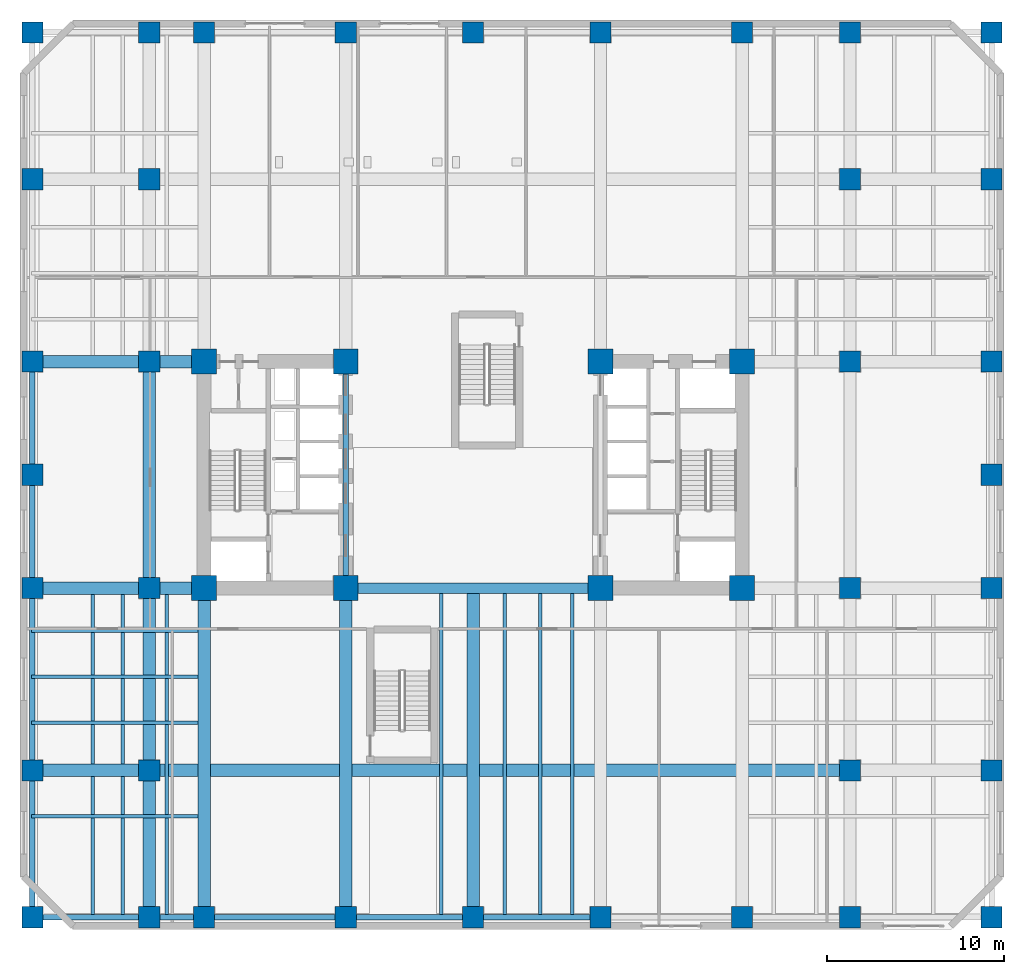
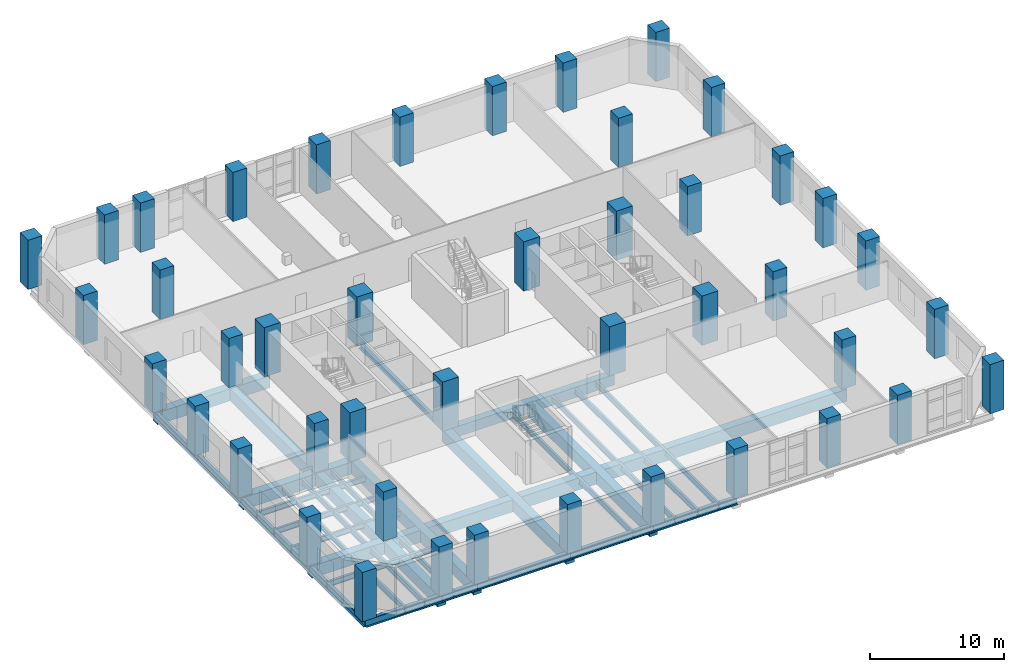
# One storey, part 1 of 15: 44 columns, 34 beams.
"""IFC4 building model written with IfcOpenShell, lengths in metres."""

from ifc_helpers import new_model, si_unit, direction, frame, origin, origin_2d, place, context, subcontext, project, spatial, rectangle, i_section, extrude, material, material_profile, profile_set, type_object, element, save


model = new_model("IFC4")

# Units and contexts
model_context = context("Model", 3, precision=1e-05, world=origin(), true_north=direction((0.0, 1.0)))
body_context = subcontext(model_context, "Body", "Model", "MODEL_VIEW")
ifc_project = project(units=[si_unit("LENGTHUNIT", "METRE"), si_unit("AREAUNIT", "SQUARE_METRE"), si_unit("VOLUMEUNIT", "CUBIC_METRE"), si_unit("PLANEANGLEUNIT", "RADIAN"), si_unit("MASSUNIT", "GRAM", prefix="KILO")], contexts=[model_context])

# Site, building, storey
site_placement = place(None, origin())
site = spatial("IfcSite", under=ifc_project, at=site_placement, CompositionType="ELEMENT")
building_placement = place(site_placement, origin())
building = spatial("IfcBuilding", under=site, at=building_placement, Name="Kranthara Brick Stack", CompositionType="ELEMENT")
storey_placement = place(building_placement, frame((0.0, 0.0, 14.39990234375)))
storey = spatial("IfcBuildingStorey", under=building, at=storey_placement, Name="L03", CompositionType="ELEMENT", Elevation=14.39990234375)

# Columns
ifc_material_1 = material(Name="Concrete C70/85", Category="concrete")
ifc_material_profile_1 = material_profile(ifc_material_1, rectangle(XDim=1.39990234375, YDim=1.39990234375, at=origin_2d()), Name="RC 1400x1400")
ifc_profile_set_1 = profile_set([ifc_material_profile_1], Name="Concrete C70/85")
column_type_1 = type_object("IfcColumnType", Name="COL-CORE-1400", PredefinedType="COLUMN", material=ifc_profile_set_1)
for number, where, z_axis, x_axis, name in (
    (1, (12.800048828125, 20.800048828125, 0.0), (0.0, 0.0, 1.0), (1.0, 0.0, 0.0), "L03 Column 01"),
    (2, (20.800048828125, 20.800048828125, 0.0), (0.0, 0.0, 1.0), (1.0, 0.0, 0.0), "L03 Column 02"),
    (3, (12.800048828125, 33.60009765625, 0.0), (0.0, 0.0, 1.0), (1.0, 0.0, 0.0), "L03 Column 03"),
    (4, (20.800048828125, 33.60009765625, 0.0), (0.0, 0.0, 1.0), (1.0, 0.0, 0.0), "L03 Column 04"),
    (5, (35.199951171875, 20.800048828125, 0.0), (0.0, 0.0, 1.0), (1.0, 0.0, 0.0), "L03 Column 05"),
    (6, (43.199951171875, 20.800048828125, 0.0), (0.0, 0.0, 1.0), (1.0, 0.0, 0.0), "L03 Column 06"),
    (7, (35.199951171875, 33.60009765625, 0.0), (0.0, 0.0, 1.0), (1.0, 0.0, 0.0), "L03 Column 07"),
    (8, (43.199951171875, 33.60009765625, 0.0), (0.0, 0.0, 1.0), (1.0, 0.0, 0.0), "L03 Column 08"),
):
    element("IfcColumn", number, at=place(storey_placement, frame(where, z_axis=z_axis, x_axis=x_axis)), inside=storey, type_object=column_type_1, Name=name, PredefinedType="COLUMN", context=body_context, shape_type="SweptSolid", body=[
        extrude(rectangle(XDim=1.39990234375, YDim=1.39990234375, at=origin_2d()), origin(), (0.0, 0.0, 1.0), 4.5),
    ])
ifc_material_2 = material(Name="Concrete C70/85", Category="concrete")
ifc_material_profile_2 = material_profile(ifc_material_2, rectangle(XDim=1.199951171875, YDim=1.199951171875, at=origin_2d()), Name="RC 1200x1200")
ifc_profile_set_2 = profile_set([ifc_material_profile_2], Name="Concrete C70/85")
column_type_2 = type_object("IfcColumnType", Name="COL-RC-1200", PredefinedType="COLUMN", material=ifc_profile_set_2)
for number, where, z_axis, x_axis, name in (
    (9, (3.10009765625, 2.199951171875, 0.0), (0.0, 0.0, 1.0), (1.0, 0.0, 0.0), "L03 Column 09"),
    (10, (3.10009765625, 52.199951171875, 0.0), (0.0, 0.0, 1.0), (1.0, 0.0, 0.0), "L03 Column 10"),
    (11, (9.699951171875, 2.199951171875, 0.0), (0.0, 0.0, 1.0), (1.0, 0.0, 0.0), "L03 Column 11"),
    (12, (9.699951171875, 52.199951171875, 0.0), (0.0, 0.0, 1.0), (1.0, 0.0, 0.0), "L03 Column 12"),
    (13, (12.800048828125, 2.199951171875, 0.0), (0.0, 0.0, 1.0), (1.0, 0.0, 0.0), "L03 Column 13"),
    (14, (12.800048828125, 52.199951171875, 0.0), (0.0, 0.0, 1.0), (1.0, 0.0, 0.0), "L03 Column 14"),
    (15, (20.800048828125, 2.199951171875, 0.0), (0.0, 0.0, 1.0), (1.0, 0.0, 0.0), "L03 Column 15"),
    (16, (20.800048828125, 52.199951171875, 0.0), (0.0, 0.0, 1.0), (1.0, 0.0, 0.0), "L03 Column 16"),
    (17, (28.0, 2.199951171875, 0.0), (0.0, 0.0, 1.0), (1.0, 0.0, 0.0), "L03 Column 17"),
    (18, (28.0, 52.199951171875, 0.0), (0.0, 0.0, 1.0), (1.0, 0.0, 0.0), "L03 Column 18"),
    (19, (35.199951171875, 2.199951171875, 0.0), (0.0, 0.0, 1.0), (1.0, 0.0, 0.0), "L03 Column 19"),
    (20, (35.199951171875, 52.199951171875, 0.0), (0.0, 0.0, 1.0), (1.0, 0.0, 0.0), "L03 Column 20"),
    (21, (43.199951171875, 2.199951171875, 0.0), (0.0, 0.0, 1.0), (1.0, 0.0, 0.0), "L03 Column 21"),
    (22, (43.199951171875, 52.199951171875, 0.0), (0.0, 0.0, 1.0), (1.0, 0.0, 0.0), "L03 Column 22"),
    (23, (49.300048828125, 2.199951171875, 0.0), (0.0, 0.0, 1.0), (1.0, 0.0, 0.0), "L03 Column 23"),
    (24, (49.300048828125, 52.199951171875, 0.0), (0.0, 0.0, 1.0), (1.0, 0.0, 0.0), "L03 Column 24"),
    (25, (57.300048828125, 2.199951171875, 0.0), (0.0, 0.0, 1.0), (1.0, 0.0, 0.0), "L03 Column 25"),
    (26, (57.300048828125, 52.199951171875, 0.0), (0.0, 0.0, 1.0), (1.0, 0.0, 0.0), "L03 Column 26"),
    (27, (3.10009765625, 10.5, 0.0), (0.0, 0.0, 1.0), (1.0, 0.0, 0.0), "L03 Column 27"),
    (28, (57.300048828125, 10.5, 0.0), (0.0, 0.0, 1.0), (1.0, 0.0, 0.0), "L03 Column 28"),
    (29, (3.10009765625, 20.800048828125, 0.0), (0.0, 0.0, 1.0), (1.0, 0.0, 0.0), "L03 Column 29"),
    (30, (57.300048828125, 20.800048828125, 0.0), (0.0, 0.0, 1.0), (1.0, 0.0, 0.0), "L03 Column 30"),
    (31, (3.10009765625, 27.199951171875, 0.0), (0.0, 0.0, 1.0), (1.0, 0.0, 0.0), "L03 Column 31"),
    (32, (57.300048828125, 27.199951171875, 0.0), (0.0, 0.0, 1.0), (1.0, 0.0, 0.0), "L03 Column 32"),
    (33, (3.10009765625, 33.60009765625, 0.0), (0.0, 0.0, 1.0), (1.0, 0.0, 0.0), "L03 Column 33"),
    (34, (57.300048828125, 33.60009765625, 0.0), (0.0, 0.0, 1.0), (1.0, 0.0, 0.0), "L03 Column 34"),
    (35, (3.10009765625, 43.89990234375, 0.0), (0.0, 0.0, 1.0), (1.0, 0.0, 0.0), "L03 Column 35"),
    (36, (57.300048828125, 43.89990234375, 0.0), (0.0, 0.0, 1.0), (1.0, 0.0, 0.0), "L03 Column 36"),
    (37, (9.699951171875, 10.5, 0.0), (0.0, 0.0, 1.0), (1.0, 0.0, 0.0), "L03 Column 37"),
    (38, (9.699951171875, 20.800048828125, 0.0), (0.0, 0.0, 1.0), (1.0, 0.0, 0.0), "L03 Column 38"),
    (39, (9.699951171875, 33.60009765625, 0.0), (0.0, 0.0, 1.0), (1.0, 0.0, 0.0), "L03 Column 39"),
    (40, (9.699951171875, 43.89990234375, 0.0), (0.0, 0.0, 1.0), (1.0, 0.0, 0.0), "L03 Column 40"),
    (41, (49.300048828125, 10.5, 0.0), (0.0, 0.0, 1.0), (1.0, 0.0, 0.0), "L03 Column 41"),
    (42, (49.300048828125, 20.800048828125, 0.0), (0.0, 0.0, 1.0), (1.0, 0.0, 0.0), "L03 Column 42"),
    (43, (49.300048828125, 33.60009765625, 0.0), (0.0, 0.0, 1.0), (1.0, 0.0, 0.0), "L03 Column 43"),
    (44, (49.300048828125, 43.89990234375, 0.0), (0.0, 0.0, 1.0), (1.0, 0.0, 0.0), "L03 Column 44"),
):
    element("IfcColumn", number, at=place(storey_placement, frame(where, z_axis=z_axis, x_axis=x_axis)), inside=storey, type_object=column_type_2, Name=name, PredefinedType="COLUMN", context=body_context, shape_type="SweptSolid", body=[
        extrude(rectangle(XDim=1.199951171875, YDim=1.199951171875, at=origin_2d()), origin(), (0.0, 0.0, 1.0), 4.5),
    ])

# Beams
ifc_material_3 = material(Name="Concrete C60/75", Category="concrete")
ifc_material_profile_3 = material_profile(ifc_material_3, rectangle(XDim=0.60009765625, YDim=0.949951171875, at=origin_2d()), Name="RC 600x950")
ifc_profile_set_3 = profile_set([ifc_material_profile_3], Name="Concrete C60/75")
beam_type_1 = type_object("IfcBeamType", Name="BM-CPL-RC950", PredefinedType="LINTEL", material=ifc_profile_set_3)
beam_1_placement = place(storey_placement, frame((20.800048828125, 20.800048828125, -0.794921875), z_axis=(1.0, 0.0, 0.0), x_axis=(0.0, 1.0, 0.0)))
element("IfcBeam", 45, at=beam_1_placement, inside=storey, type_object=beam_type_1, Name="L03 Core Coupling Beam 001", PredefinedType="LINTEL", context=body_context, shape_type="SweptSolid", body=[
    extrude(rectangle(XDim=0.60009765625, YDim=0.949951171875, at=origin_2d()), origin(), (0.0, 0.0, 1.0), 14.39990234375),
])
ifc_material_4 = material(Name="Steel S355", Category="steel")
ifc_material_profile_4 = material_profile(ifc_material_4, i_section(OverallWidth=0.199951171875, OverallDepth=0.5, WebThickness=0.01025390625, FlangeThickness=0.01611328125, at=origin_2d()), Name="IPE 500")
ifc_profile_set_4 = profile_set([ifc_material_profile_4], Name="Steel S355")
beam_type_2 = type_object("IfcBeamType", Name="BM-JST-IPE500", PredefinedType="JOIST", material=ifc_profile_set_4)
for number, where, z_axis, x_axis, name in (
    (46, (6.5, 2.14990234375, -0.56982421875), (0.0, 1.0, 0.0), (-1.0, 0.0, 0.0), "L03 South Wing Floor Joist 065"),
    (47, (8.199951171875, 2.14990234375, -0.56982421875), (0.0, 1.0, 0.0), (-1.0, 0.0, 0.0), "L03 South Wing Floor Joist 067"),
    (48, (10.699951171875, 2.14990234375, -0.56982421875), (0.0, 1.0, 0.0), (-1.0, 0.0, 0.0), "L03 South Wing Floor Joist 069"),
):
    element("IfcBeam", number, at=place(storey_placement, frame(where, z_axis=z_axis, x_axis=x_axis)), inside=storey, type_object=beam_type_2, Name=name, PredefinedType="JOIST", context=body_context, shape_type="SweptSolid", body=[
        extrude(i_section(OverallWidth=0.199951171875, OverallDepth=0.5, WebThickness=0.01025390625, FlangeThickness=0.01611328125, at=origin_2d()), origin(), (0.0, 0.0, 1.0), 18.300048828125),
    ])
for number, where, z_axis, x_axis, name in (
    (49, (26.199951171875, 2.14990234375, -0.56982421875), (0.0, 1.0, 0.0), (-1.0, 0.0, 0.0), "L03 South Wing Floor Joist 071"),
    (50, (29.800048828125, 2.14990234375, -0.56982421875), (0.0, 1.0, 0.0), (-1.0, 0.0, 0.0), "L03 South Wing Floor Joist 072"),
    (51, (31.800048828125, 2.14990234375, -0.56982421875), (0.0, 1.0, 0.0), (-1.0, 0.0, 0.0), "L03 South Wing Floor Joist 073"),
    (52, (33.60009765625, 2.14990234375, -0.56982421875), (0.0, 1.0, 0.0), (-1.0, 0.0, 0.0), "L03 South Wing Floor Joist 074"),
):
    element("IfcBeam", number, at=place(storey_placement, frame(where, z_axis=z_axis, x_axis=x_axis)), inside=storey, type_object=beam_type_2, Name=name, PredefinedType="JOIST", context=body_context, shape_type="SweptSolid", body=[
        extrude(i_section(OverallWidth=0.199951171875, OverallDepth=0.5, WebThickness=0.01025390625, FlangeThickness=0.01611328125, at=origin_2d()), origin(), (0.0, 0.0, 1.0), 18.35009765625),
    ])
for number, where, z_axis, x_axis, name in (
    (53, (3.050048828125, 7.89990234375, -0.56982421875), (1.0, 0.0, 0.0), (0.0, 1.0, 0.0), "L03 West Wing Floor Joist 083"),
    (54, (3.050048828125, 13.199951171875, -0.56982421875), (1.0, 0.0, 0.0), (0.0, 1.0, 0.0), "L03 West Wing Floor Joist 085"),
    (55, (3.050048828125, 15.800048828125, -0.56982421875), (1.0, 0.0, 0.0), (0.0, 1.0, 0.0), "L03 West Wing Floor Joist 087"),
    (56, (3.050048828125, 18.39990234375, -0.56982421875), (1.0, 0.0, 0.0), (0.0, 1.0, 0.0), "L03 West Wing Floor Joist 089"),
):
    element("IfcBeam", number, at=place(storey_placement, frame(where, z_axis=z_axis, x_axis=x_axis)), inside=storey, type_object=beam_type_2, Name=name, PredefinedType="JOIST", context=body_context, shape_type="SweptSolid", body=[
        extrude(i_section(OverallWidth=0.199951171875, OverallDepth=0.5, WebThickness=0.01025390625, FlangeThickness=0.01611328125, at=origin_2d()), origin(), (0.0, 0.0, 1.0), 9.39990234375),
    ])
ifc_material_5 = material(Name="Post-tensioned concrete C45/55", Category="concrete")
ifc_material_profile_5 = material_profile(ifc_material_5, rectangle(XDim=0.699951171875, YDim=1.10009765625, at=origin_2d()), Name="PT 700x1100")
ifc_profile_set_5 = profile_set([ifc_material_profile_5], Name="Post-tensioned concrete C45/55")
beam_type_3 = type_object("IfcBeamType", Name="BM-POD-PT1100", PredefinedType="BEAM", material=ifc_profile_set_5)
beam_2_placement = place(storey_placement, frame((9.699951171875, 2.199951171875, -0.869873046875), z_axis=(0.0, 1.0, 0.0), x_axis=(-1.0, 0.0, 0.0)))
element("IfcBeam", 57, at=beam_2_placement, inside=storey, type_object=beam_type_3, Name="L03 Primary Grid Girder 032", PredefinedType="BEAM", context=body_context, shape_type="SweptSolid", body=[
    extrude(rectangle(XDim=0.699951171875, YDim=1.10009765625, at=origin_2d()), origin(), (0.0, 0.0, 1.0), 8.300048828125),
])
beam_3_placement = place(storey_placement, frame((9.699951171875, 10.5, -0.869873046875), z_axis=(0.0, 1.0, 0.0), x_axis=(-1.0, 0.0, 0.0)))
element("IfcBeam", 58, at=beam_3_placement, inside=storey, type_object=beam_type_3, Name="L03 Primary Grid Girder 033", PredefinedType="BEAM", context=body_context, shape_type="SweptSolid", body=[
    extrude(rectangle(XDim=0.699951171875, YDim=1.10009765625, at=origin_2d()), origin(), (0.0, 0.0, 1.0), 10.300048828125),
])
beam_4_placement = place(storey_placement, frame((9.699951171875, 20.800048828125, -0.869873046875), z_axis=(0.0, 1.0, 0.0), x_axis=(-1.0, 0.0, 0.0)))
element("IfcBeam", 59, at=beam_4_placement, inside=storey, type_object=beam_type_3, Name="L03 Primary Grid Girder 034", PredefinedType="BEAM", context=body_context, shape_type="SweptSolid", body=[
    extrude(rectangle(XDim=0.699951171875, YDim=1.10009765625, at=origin_2d()), origin(), (0.0, 0.0, 1.0), 12.800048828125),
])
for number, where, z_axis, x_axis, name in (
    (60, (12.800048828125, 2.199951171875, -0.869873046875), (0.0, 1.0, 0.0), (-1.0, 0.0, 0.0), "L03 Primary Grid Girder 037"),
    (61, (20.800048828125, 2.199951171875, -0.869873046875), (0.0, 1.0, 0.0), (-1.0, 0.0, 0.0), "L03 Primary Grid Girder 039"),
):
    element("IfcBeam", number, at=place(storey_placement, frame(where, z_axis=z_axis, x_axis=x_axis)), inside=storey, type_object=beam_type_3, Name=name, PredefinedType="BEAM", context=body_context, shape_type="SweptSolid", body=[
        extrude(rectangle(XDim=0.699951171875, YDim=1.10009765625, at=origin_2d()), origin(), (0.0, 0.0, 1.0), 18.60009765625),
    ])
beam_5_placement = place(storey_placement, frame((28.0, 2.199951171875, -0.869873046875), z_axis=(0.0, 1.0, 0.0), x_axis=(-1.0, 0.0, 0.0)))
element("IfcBeam", 62, at=beam_5_placement, inside=storey, type_object=beam_type_3, Name="L03 Primary Grid Girder 041", PredefinedType="BEAM", context=body_context, shape_type="SweptSolid", body=[
    extrude(rectangle(XDim=0.699951171875, YDim=1.10009765625, at=origin_2d()), origin(), (0.0, 0.0, 1.0), 18.300048828125),
])
beam_6_placement = place(storey_placement, frame((3.10009765625, 10.5, -0.869873046875), z_axis=(1.0, 0.0, 0.0), x_axis=(0.0, 1.0, 0.0)))
element("IfcBeam", 63, at=beam_6_placement, inside=storey, type_object=beam_type_3, Name="L03 Primary Grid Girder 051", PredefinedType="BEAM", context=body_context, shape_type="SweptSolid", body=[
    extrude(rectangle(XDim=0.699951171875, YDim=1.10009765625, at=origin_2d()), origin(), (0.0, 0.0, 1.0), 6.599853515625),
])
beam_7_placement = place(storey_placement, frame((9.699951171875, 10.5, -0.869873046875), z_axis=(1.0, 0.0, 0.0), x_axis=(0.0, 1.0, 0.0)))
element("IfcBeam", 64, at=beam_7_placement, inside=storey, type_object=beam_type_3, Name="L03 Primary Grid Girder 052", PredefinedType="BEAM", context=body_context, shape_type="SweptSolid", body=[
    extrude(rectangle(XDim=0.699951171875, YDim=1.10009765625, at=origin_2d()), origin(), (0.0, 0.0, 1.0), 39.60009765625),
])
beam_8_placement = place(storey_placement, frame((3.10009765625, 20.800048828125, -0.869873046875), z_axis=(1.0, 0.0, 0.0), x_axis=(0.0, 1.0, 0.0)))
element("IfcBeam", 65, at=beam_8_placement, inside=storey, type_object=beam_type_3, Name="L03 Primary Grid Girder 054", PredefinedType="BEAM", context=body_context, shape_type="SweptSolid", body=[
    extrude(rectangle(XDim=0.699951171875, YDim=1.10009765625, at=origin_2d()), origin(), (0.0, 0.0, 1.0), 6.599853515625),
])
beam_9_placement = place(storey_placement, frame((9.699951171875, 20.800048828125, -0.869873046875), z_axis=(1.0, 0.0, 0.0), x_axis=(0.0, 1.0, 0.0)))
element("IfcBeam", 66, at=beam_9_placement, inside=storey, type_object=beam_type_3, Name="L03 Primary Grid Girder 055", PredefinedType="BEAM", context=body_context, shape_type="SweptSolid", body=[
    extrude(rectangle(XDim=0.699951171875, YDim=1.10009765625, at=origin_2d()), origin(), (0.0, 0.0, 1.0), 3.10009765625),
])
beam_10_placement = place(storey_placement, frame((3.10009765625, 33.60009765625, -0.869873046875), z_axis=(1.0, 0.0, 0.0), x_axis=(0.0, 1.0, 0.0)))
element("IfcBeam", 67, at=beam_10_placement, inside=storey, type_object=beam_type_3, Name="L03 Primary Grid Girder 058", PredefinedType="BEAM", context=body_context, shape_type="SweptSolid", body=[
    extrude(rectangle(XDim=0.699951171875, YDim=1.10009765625, at=origin_2d()), origin(), (0.0, 0.0, 1.0), 6.599853515625),
])
beam_11_placement = place(storey_placement, frame((9.699951171875, 33.60009765625, -0.869873046875), z_axis=(1.0, 0.0, 0.0), x_axis=(0.0, 1.0, 0.0)))
element("IfcBeam", 68, at=beam_11_placement, inside=storey, type_object=beam_type_3, Name="L03 Primary Grid Girder 059", PredefinedType="BEAM", context=body_context, shape_type="SweptSolid", body=[
    extrude(rectangle(XDim=0.699951171875, YDim=1.10009765625, at=origin_2d()), origin(), (0.0, 0.0, 1.0), 3.10009765625),
])
ifc_material_6 = material(Name="Steel S355", Category="steel")
ifc_material_profile_6 = material_profile(ifc_material_6, i_section(OverallWidth=0.300048828125, OverallDepth=0.449951171875, WebThickness=0.013916015625, FlangeThickness=0.02587890625, at=origin_2d()), Name="HEB 450")
ifc_profile_set_6 = profile_set([ifc_material_profile_6], Name="Steel S355")
beam_type_4 = type_object("IfcBeamType", Name="BM-STL-HEB450", PredefinedType="SPANDREL", material=ifc_profile_set_6)
beam_12_placement = place(storey_placement, frame((20.800048828125, 20.800048828125, -0.544921875), z_axis=(0.0, 1.0, 0.0), x_axis=(-1.0, 0.0, 0.0)))
element("IfcBeam", 69, at=beam_12_placement, inside=storey, type_object=beam_type_4, Name="L03 Core Edge Tie Beam 002", PredefinedType="SPANDREL", context=body_context, shape_type="SweptSolid", body=[
    extrude(i_section(OverallWidth=0.300048828125, OverallDepth=0.449951171875, WebThickness=0.013916015625, FlangeThickness=0.02587890625, at=origin_2d()), origin(), (0.0, 0.0, 1.0), 12.800048828125),
])
ifc_material_7 = material(Name="Steel S355", Category="steel")
ifc_material_profile_7 = material_profile(ifc_material_7, i_section(OverallWidth=0.300048828125, OverallDepth=0.699951171875, WebThickness=0.01708984375, FlangeThickness=0.031982421875, at=origin_2d()), Name="HEB 700")
ifc_profile_set_7 = profile_set([ifc_material_profile_7], Name="Steel S355")
beam_type_5 = type_object("IfcBeamType", Name="BM-STL-HEB700", PredefinedType="BEAM", material=ifc_profile_set_7)
beam_13_placement = place(storey_placement, frame((3.10009765625, 2.199951171875, -0.669921875), z_axis=(1.0, 0.0, 0.0), x_axis=(0.0, 1.0, 0.0)))
element("IfcBeam", 70, at=beam_13_placement, inside=storey, type_object=beam_type_5, Name="L03 Perimeter Spandrel Beam 004", PredefinedType="BEAM", context=body_context, shape_type="SweptSolid", body=[
    extrude(i_section(OverallWidth=0.300048828125, OverallDepth=0.699951171875, WebThickness=0.01708984375, FlangeThickness=0.031982421875, at=origin_2d()), origin(), (0.0, 0.0, 1.0), 6.599853515625),
])
beam_14_placement = place(storey_placement, frame((9.699951171875, 2.199951171875, -0.669921875), z_axis=(1.0, 0.0, 0.0), x_axis=(0.0, 1.0, 0.0)))
element("IfcBeam", 71, at=beam_14_placement, inside=storey, type_object=beam_type_5, Name="L03 Perimeter Spandrel Beam 005", PredefinedType="BEAM", context=body_context, shape_type="SweptSolid", body=[
    extrude(i_section(OverallWidth=0.300048828125, OverallDepth=0.699951171875, WebThickness=0.01708984375, FlangeThickness=0.031982421875, at=origin_2d()), origin(), (0.0, 0.0, 1.0), 3.10009765625),
])
beam_15_placement = place(storey_placement, frame((12.800048828125, 2.199951171875, -0.669921875), z_axis=(1.0, 0.0, 0.0), x_axis=(0.0, 1.0, 0.0)))
element("IfcBeam", 72, at=beam_15_placement, inside=storey, type_object=beam_type_5, Name="L03 Perimeter Spandrel Beam 006", PredefinedType="BEAM", context=body_context, shape_type="SweptSolid", body=[
    extrude(i_section(OverallWidth=0.300048828125, OverallDepth=0.699951171875, WebThickness=0.01708984375, FlangeThickness=0.031982421875, at=origin_2d()), origin(), (0.0, 0.0, 1.0), 8.0),
])
for number, where, z_axis, x_axis, name in (
    (73, (20.800048828125, 2.199951171875, -0.669921875), (1.0, 0.0, 0.0), (0.0, 1.0, 0.0), "L03 Perimeter Spandrel Beam 007"),
    (74, (28.0, 2.199951171875, -0.669921875), (1.0, 0.0, 0.0), (0.0, 1.0, 0.0), "L03 Perimeter Spandrel Beam 008"),
):
    element("IfcBeam", number, at=place(storey_placement, frame(where, z_axis=z_axis, x_axis=x_axis)), inside=storey, type_object=beam_type_5, Name=name, PredefinedType="BEAM", context=body_context, shape_type="SweptSolid", body=[
        extrude(i_section(OverallWidth=0.300048828125, OverallDepth=0.699951171875, WebThickness=0.01708984375, FlangeThickness=0.031982421875, at=origin_2d()), origin(), (0.0, 0.0, 1.0), 7.199951171875),
    ])
beam_16_placement = place(storey_placement, frame((3.10009765625, 2.199951171875, -0.669921875), z_axis=(0.0, 1.0, 0.0), x_axis=(-1.0, 0.0, 0.0)))
element("IfcBeam", 75, at=beam_16_placement, inside=storey, type_object=beam_type_5, Name="L03 Perimeter Spandrel Beam 020", PredefinedType="BEAM", context=body_context, shape_type="SweptSolid", body=[
    extrude(i_section(OverallWidth=0.300048828125, OverallDepth=0.699951171875, WebThickness=0.01708984375, FlangeThickness=0.031982421875, at=origin_2d()), origin(), (0.0, 0.0, 1.0), 8.300048828125),
])
beam_17_placement = place(storey_placement, frame((3.10009765625, 10.5, -0.669921875), z_axis=(0.0, 1.0, 0.0), x_axis=(-1.0, 0.0, 0.0)))
element("IfcBeam", 76, at=beam_17_placement, inside=storey, type_object=beam_type_5, Name="L03 Perimeter Spandrel Beam 021", PredefinedType="BEAM", context=body_context, shape_type="SweptSolid", body=[
    extrude(i_section(OverallWidth=0.300048828125, OverallDepth=0.699951171875, WebThickness=0.01708984375, FlangeThickness=0.031982421875, at=origin_2d()), origin(), (0.0, 0.0, 1.0), 10.300048828125),
])
beam_18_placement = place(storey_placement, frame((3.10009765625, 20.800048828125, -0.669921875), z_axis=(0.0, 1.0, 0.0), x_axis=(-1.0, 0.0, 0.0)))
element("IfcBeam", 77, at=beam_18_placement, inside=storey, type_object=beam_type_5, Name="L03 Perimeter Spandrel Beam 022", PredefinedType="BEAM", context=body_context, shape_type="SweptSolid", body=[
    extrude(i_section(OverallWidth=0.300048828125, OverallDepth=0.699951171875, WebThickness=0.01708984375, FlangeThickness=0.031982421875, at=origin_2d()), origin(), (0.0, 0.0, 1.0), 6.39990234375),
])
beam_19_placement = place(storey_placement, frame((3.10009765625, 27.199951171875, -0.669921875), z_axis=(0.0, 1.0, 0.0), x_axis=(-1.0, 0.0, 0.0)))
element("IfcBeam", 78, at=beam_19_placement, inside=storey, type_object=beam_type_5, Name="L03 Perimeter Spandrel Beam 023", PredefinedType="BEAM", context=body_context, shape_type="SweptSolid", body=[
    extrude(i_section(OverallWidth=0.300048828125, OverallDepth=0.699951171875, WebThickness=0.01708984375, FlangeThickness=0.031982421875, at=origin_2d()), origin(), (0.0, 0.0, 1.0), 6.400146484375),
])

save(model, "model.ifc")
